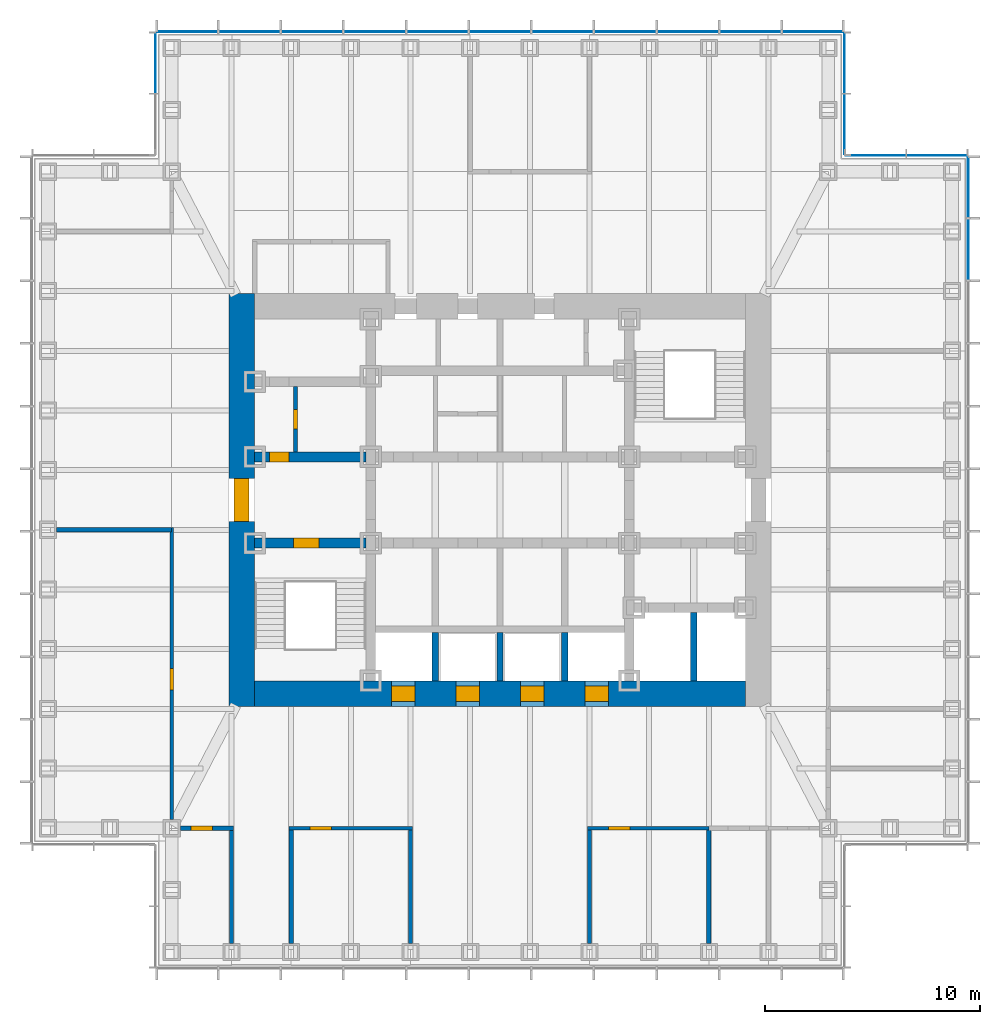
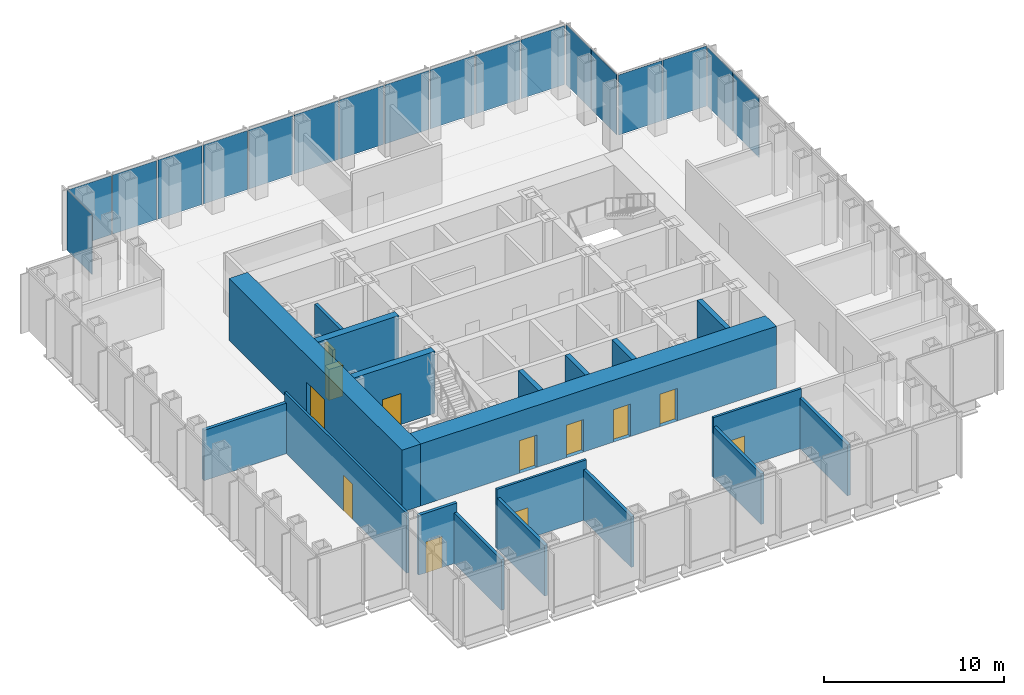
# One storey, part 8 of 16: 19 walls, 18 plates, 12 doors, 12 openings, 5 elements without a shape of their own.
"""IFC4 building model written with IfcOpenShell, lengths in metres."""

from ifc_helpers import new_model, si_unit, direction, frame, frame_2d, origin, origin_2d, place, context, subcontext, project, spatial, rectangle, extrude, material, layer, layer_set, type_object, element, fill, aggregate, save


model = new_model("IFC4")

# Units and contexts
model_context = context("Model", 3, precision=1e-05, world=origin(), true_north=direction((0.0, 1.0)))
body_context = subcontext(model_context, "Body", "Model", "MODEL_VIEW")
ifc_project = project(units=[si_unit("LENGTHUNIT", "METRE"), si_unit("AREAUNIT", "SQUARE_METRE"), si_unit("VOLUMEUNIT", "CUBIC_METRE"), si_unit("PLANEANGLEUNIT", "RADIAN"), si_unit("MASSUNIT", "GRAM", prefix="KILO")], contexts=[model_context])

# Site, building, storey
site_placement = place(None, origin())
site = spatial("IfcSite", under=ifc_project, at=site_placement, CompositionType="ELEMENT")
building_placement = place(site_placement, origin())
building = spatial("IfcBuilding", under=site, at=building_placement, Name="Daluyong Arena Tower", CompositionType="ELEMENT")
storey_placement = place(building_placement, frame((0.0, 0.0, 271.300048828125)))
storey = spatial("IfcBuildingStorey", under=building, at=storey_placement, Name="L61", CompositionType="ELEMENT", Elevation=271.300048828125)

# Curtain wall, plates
ifc_material_1 = material(Name="Bronze anodised aluminium and glass", Category="aluminium")
curtain_wall_type_1 = type_object("IfcCurtainWallType", Name="Curtain wall CW4", PredefinedType="USERDEFINED", material=ifc_material_1)
curtain_wall_1_placement = place(storey_placement, origin())
curtain_wall_1 = element("IfcCurtainWall", 1, at=curtain_wall_1_placement, inside=storey, type_object=curtain_wall_type_1, Name="curtain wall L61 E", ObjectType="UNITISED CURTAIN WALL", PredefinedType="USERDEFINED")
ifc_material_2 = material(Name="Tinted laminated double glazed unit", Category="glass")
ifc_layer_1 = layer(ifc_material_2, 0.035888671875)
ifc_layer_set_1 = layer_set([ifc_layer_1], Name="Tinted laminated double glazed unit")
plate_type_1 = type_object("IfcPlateType", Name="CW4 panel 36", PredefinedType="CURTAIN_PANEL", material=ifc_layer_set_1)
plate_1_placement = place(storey_placement, frame((77.75, 91.636474609375, 0.0), z_axis=(0.0, 0.0, 1.0), x_axis=(0.0, 1.0, 0.0)))
plate_1 = element("IfcPlate", 2, at=plate_1_placement, type_object=plate_type_1, Name="curtain wall L61 E panel 10", PredefinedType="CURTAIN_PANEL", context=body_context, shape_type="SweptSolid", body=[
    extrude(rectangle(XDim=2.819091796875, YDim=0.035888671875, at=origin_2d()), origin(), (0.0, 0.0, 1.0), 4.0),
])
plate_2_placement = place(storey_placement, frame((77.75, 94.52294921875, 0.0), z_axis=(0.0, 0.0, 1.0), x_axis=(0.0, 1.0, 0.0)))
plate_2 = element("IfcPlate", 3, at=plate_2_placement, type_object=plate_type_1, Name="curtain wall L61 E panel 11", PredefinedType="CURTAIN_PANEL", context=body_context, shape_type="SweptSolid", body=[
    extrude(rectangle(XDim=2.774169921875, YDim=0.035888671875, at=origin_2d()), origin(), (0.0, 0.0, 1.0), 4.0),
])
aggregate(curtain_wall_1, [plate_1, plate_2])

curtain_wall_2_placement = place(storey_placement, origin())
curtain_wall_2 = element("IfcCurtainWall", 4, at=curtain_wall_2_placement, inside=storey, type_object=curtain_wall_type_1, Name="curtain wall L61 N", ObjectType="UNITISED CURTAIN WALL", PredefinedType="USERDEFINED")
plate_3_placement = place(storey_placement, frame((70.52294921875, 101.75, 0.0), z_axis=(0.0, 0.0, 1.0), x_axis=(-1.0, 0.0, 0.0)))
plate_3 = element("IfcPlate", 5, at=plate_3_placement, type_object=plate_type_1, Name="curtain wall L61 N panel 1", PredefinedType="CURTAIN_PANEL", context=body_context, shape_type="SweptSolid", body=[
    extrude(rectangle(XDim=2.774169921875, YDim=0.035888671875, at=origin_2d()), origin(), (0.0, 0.0, 1.0), 4.0),
])
plate_4_placement = place(storey_placement, frame((67.636474609375, 101.75, 0.0), z_axis=(0.0, 0.0, 1.0), x_axis=(-1.0, 0.0, 0.0)))
plate_4 = element("IfcPlate", 6, at=plate_4_placement, type_object=plate_type_1, Name="curtain wall L61 N panel 2", PredefinedType="CURTAIN_PANEL", context=body_context, shape_type="SweptSolid", body=[
    extrude(rectangle(XDim=2.819091796875, YDim=0.035888671875, at=origin_2d()), origin(), (0.0, 0.0, 1.0), 4.0),
])
plate_5_placement = place(storey_placement, frame((64.727294921875, 101.75, 0.0), z_axis=(0.0, 0.0, 1.0), x_axis=(-1.0, 0.0, 0.0)))
plate_5 = element("IfcPlate", 7, at=plate_5_placement, type_object=plate_type_1, Name="curtain wall L61 N panel 3", PredefinedType="CURTAIN_PANEL", context=body_context, shape_type="SweptSolid", body=[
    extrude(rectangle(XDim=2.819091796875, YDim=0.035888671875, at=origin_2d()), origin(), (0.0, 0.0, 1.0), 4.0),
])
plate_6_placement = place(storey_placement, frame((61.818115234375, 101.75, 0.0), z_axis=(0.0, 0.0, 1.0), x_axis=(-1.0, 0.0, 0.0)))
plate_6 = element("IfcPlate", 8, at=plate_6_placement, type_object=plate_type_1, Name="curtain wall L61 N panel 4", PredefinedType="CURTAIN_PANEL", context=body_context, shape_type="SweptSolid", body=[
    extrude(rectangle(XDim=2.819091796875, YDim=0.035888671875, at=origin_2d()), origin(), (0.0, 0.0, 1.0), 4.0),
])
plate_7_placement = place(storey_placement, frame((58.9091796875, 101.75, 0.0), z_axis=(0.0, 0.0, 1.0), x_axis=(-1.0, 0.0, 0.0)))
plate_7 = element("IfcPlate", 9, at=plate_7_placement, type_object=plate_type_1, Name="curtain wall L61 N panel 5", PredefinedType="CURTAIN_PANEL", context=body_context, shape_type="SweptSolid", body=[
    extrude(rectangle(XDim=2.819091796875, YDim=0.035888671875, at=origin_2d()), origin(), (0.0, 0.0, 1.0), 4.0),
])
plate_8_placement = place(storey_placement, frame((56.0, 101.75, 0.0), z_axis=(0.0, 0.0, 1.0), x_axis=(-1.0, 0.0, 0.0)))
plate_8 = element("IfcPlate", 10, at=plate_8_placement, type_object=plate_type_1, Name="curtain wall L61 N panel 6", PredefinedType="CURTAIN_PANEL", context=body_context, shape_type="SweptSolid", body=[
    extrude(rectangle(XDim=2.819091796875, YDim=0.035888671875, at=origin_2d()), origin(), (0.0, 0.0, 1.0), 4.0),
])
plate_9_placement = place(storey_placement, frame((53.0908203125, 101.75, 0.0), z_axis=(0.0, 0.0, 1.0), x_axis=(-1.0, 0.0, 0.0)))
plate_9 = element("IfcPlate", 11, at=plate_9_placement, type_object=plate_type_1, Name="curtain wall L61 N panel 7", PredefinedType="CURTAIN_PANEL", context=body_context, shape_type="SweptSolid", body=[
    extrude(rectangle(XDim=2.819091796875, YDim=0.035888671875, at=origin_2d()), origin(), (0.0, 0.0, 1.0), 4.0),
])
plate_10_placement = place(storey_placement, frame((50.181884765625, 101.75, 0.0), z_axis=(0.0, 0.0, 1.0), x_axis=(-1.0, 0.0, 0.0)))
plate_10 = element("IfcPlate", 12, at=plate_10_placement, type_object=plate_type_1, Name="curtain wall L61 N panel 8", PredefinedType="CURTAIN_PANEL", context=body_context, shape_type="SweptSolid", body=[
    extrude(rectangle(XDim=2.819091796875, YDim=0.035888671875, at=origin_2d()), origin(), (0.0, 0.0, 1.0), 4.0),
])
plate_11_placement = place(storey_placement, frame((47.272705078125, 101.75, 0.0), z_axis=(0.0, 0.0, 1.0), x_axis=(-1.0, 0.0, 0.0)))
plate_11 = element("IfcPlate", 13, at=plate_11_placement, type_object=plate_type_1, Name="curtain wall L61 N panel 9", PredefinedType="CURTAIN_PANEL", context=body_context, shape_type="SweptSolid", body=[
    extrude(rectangle(XDim=2.819091796875, YDim=0.035888671875, at=origin_2d()), origin(), (0.0, 0.0, 1.0), 4.0),
])
plate_12_placement = place(storey_placement, frame((44.363525390625, 101.75, 0.0), z_axis=(0.0, 0.0, 1.0), x_axis=(-1.0, 0.0, 0.0)))
plate_12 = element("IfcPlate", 14, at=plate_12_placement, type_object=plate_type_1, Name="curtain wall L61 N panel 10", PredefinedType="CURTAIN_PANEL", context=body_context, shape_type="SweptSolid", body=[
    extrude(rectangle(XDim=2.819091796875, YDim=0.035888671875, at=origin_2d()), origin(), (0.0, 0.0, 1.0), 4.0),
])
plate_13_placement = place(storey_placement, frame((41.47705078125, 101.75, 0.0), z_axis=(0.0, 0.0, 1.0), x_axis=(-1.0, 0.0, 0.0)))
plate_13 = element("IfcPlate", 15, at=plate_13_placement, type_object=plate_type_1, Name="curtain wall L61 N panel 11", PredefinedType="CURTAIN_PANEL", context=body_context, shape_type="SweptSolid", body=[
    extrude(rectangle(XDim=2.774169921875, YDim=0.035888671875, at=origin_2d()), origin(), (0.0, 0.0, 1.0), 4.0),
])
aggregate(curtain_wall_2, [plate_3, plate_4, plate_5, plate_6, plate_7, plate_8, plate_9, plate_10, plate_11, plate_12, plate_13])

ifc_material_3 = material(Name="Bronze anodised aluminium and glass", Category="aluminium")
curtain_wall_type_2 = type_object("IfcCurtainWallType", Name="Curtain wall CW7", PredefinedType="USERDEFINED", material=ifc_material_3)
curtain_wall_3_placement = place(storey_placement, origin())
curtain_wall_3 = element("IfcCurtainWall", 16, at=curtain_wall_3_placement, inside=storey, type_object=curtain_wall_type_2, Name="curtain wall L61 NE-N", ObjectType="UNITISED CURTAIN WALL", PredefinedType="USERDEFINED")
ifc_material_4 = material(Name="Tinted double glazed unit", Category="glass")
ifc_layer_2 = layer(ifc_material_4, 0.028076171875)
ifc_layer_set_2 = layer_set([ifc_layer_2], Name="Tinted double glazed unit")
plate_type_2 = type_object("IfcPlateType", Name="CW7 panel 28", PredefinedType="CURTAIN_PANEL", material=ifc_layer_set_2)
plate_14_placement = place(storey_placement, frame((76.297607421875, 96.0, 0.0), z_axis=(0.0, 0.0, 1.0), x_axis=(-1.0, 0.0, 0.0)))
plate_14 = element("IfcPlate", 17, at=plate_14_placement, type_object=plate_type_2, Name="curtain wall L61 NE-N panel 1", PredefinedType="CURTAIN_PANEL", context=body_context, shape_type="SweptSolid", body=[
    extrude(rectangle(XDim=2.784912109375, YDim=0.028076171875, at=origin_2d()), origin(), (0.0, 0.0, 1.0), 4.080078125),
])
plate_15_placement = place(storey_placement, frame((73.452392578125, 96.0, 0.0), z_axis=(0.0, 0.0, 1.0), x_axis=(-1.0, 0.0, 0.0)))
plate_15 = element("IfcPlate", 18, at=plate_15_placement, type_object=plate_type_2, Name="curtain wall L61 NE-N panel 2", PredefinedType="CURTAIN_PANEL", context=body_context, shape_type="SweptSolid", body=[
    extrude(rectangle(XDim=2.784912109375, YDim=0.028076171875, at=origin_2d()), origin(), (0.0, 0.0, 1.0), 4.080078125),
])
aggregate(curtain_wall_3, [plate_14, plate_15])

curtain_wall_4_placement = place(storey_placement, origin())
curtain_wall_4 = element("IfcCurtainWall", 19, at=curtain_wall_4_placement, inside=storey, type_object=curtain_wall_type_2, Name="curtain wall L61 NE-E", ObjectType="UNITISED CURTAIN WALL", PredefinedType="USERDEFINED")
plate_16_placement = place(storey_placement, frame((72.0, 97.452392578125, 0.0), z_axis=(0.0, 0.0, 1.0), x_axis=(0.0, 1.0, 0.0)))
plate_16 = element("IfcPlate", 20, at=plate_16_placement, type_object=plate_type_2, Name="curtain wall L61 NE-E panel 1", PredefinedType="CURTAIN_PANEL", context=body_context, shape_type="SweptSolid", body=[
    extrude(rectangle(XDim=2.784912109375, YDim=0.028076171875, at=origin_2d()), origin(), (0.0, 0.0, 1.0), 4.080078125),
])
plate_17_placement = place(storey_placement, frame((72.0, 100.297607421875, 0.0), z_axis=(0.0, 0.0, 1.0), x_axis=(0.0, 1.0, 0.0)))
plate_17 = element("IfcPlate", 21, at=plate_17_placement, type_object=plate_type_2, Name="curtain wall L61 NE-E panel 2", PredefinedType="CURTAIN_PANEL", context=body_context, shape_type="SweptSolid", body=[
    extrude(rectangle(XDim=2.784912109375, YDim=0.028076171875, at=origin_2d()), origin(), (0.0, 0.0, 1.0), 4.080078125),
])
aggregate(curtain_wall_4, [plate_16, plate_17])

# Curtain wall, plate
curtain_wall_5_placement = place(storey_placement, origin())
curtain_wall_5 = element("IfcCurtainWall", 22, at=curtain_wall_5_placement, inside=storey, type_object=curtain_wall_type_2, Name="curtain wall L61 NW-W", ObjectType="UNITISED CURTAIN WALL", PredefinedType="USERDEFINED")
plate_18_placement = place(storey_placement, frame((40.0, 100.297607421875, 0.0), z_axis=(0.0, 0.0, 1.0), x_axis=(0.0, -1.0, 0.0)))
plate_18 = element("IfcPlate", 23, at=plate_18_placement, type_object=plate_type_2, Name="curtain wall L61 NW-W panel 1", PredefinedType="CURTAIN_PANEL", context=body_context, shape_type="SweptSolid", body=[
    extrude(rectangle(XDim=2.784912109375, YDim=0.028076171875, at=origin_2d()), origin(), (0.0, 0.0, 1.0), 4.080078125),
])
aggregate(curtain_wall_5, [plate_18])

# Wall, opening, door
ifc_material_5 = material(Name="Concrete fc' 45 MPa", Category="concrete")
ifc_layer_3 = layer(ifc_material_5, 0.449951171875)
ifc_layer_set_3 = layer_set([ifc_layer_3], Name="Concrete fc' 45 MPa")
wall_type_1 = type_object("IfcWallType", Name="Core inner wall 450", PredefinedType="SHEAR", material=ifc_layer_set_3)
wall_1_placement = place(storey_placement, frame((44.60009765625, 78.0, 0.0), z_axis=(0.0, 0.0, 1.0), x_axis=(1.0, 0.0, 0.0)))
wall_1 = element("IfcWall", 24, at=wall_1_placement, inside=storey, type_object=wall_type_1, Name="core inner wall at L61", PredefinedType="SHEAR", context=body_context, shape_type="SweptSolid", body=[
    extrude(rectangle(XDim=5.1748046875, YDim=0.449951171875, at=frame_2d((2.58740234375, 0.0))), origin(), (0.0, 0.0, 1.0), 4.199951171875),
])
opening_1_placement = place(wall_1_placement, frame((1.800048828125, 0.0, 0.0)))
opening_1 = element("IfcOpeningElement", 25, at=opening_1_placement, cuts=wall_1, Name="Opening 61017", PredefinedType="OPENING", context=body_context, shape_type="SweptSolid", body=[
    extrude(rectangle(XDim=1.199951171875, YDim=2.10009765625, at=frame_2d((0.60009765625, 1.050048828125))), frame((0.0, 0.23486328125, 0.0), z_axis=(0.0, -1.0, 0.0), x_axis=(1.0, 0.0, 0.0)), (0.0, 0.0, 1.0), 0.469970703125),
])
ifc_material_6 = material(Name="Steel door, fire rated", Category="steel")
door_type_1 = type_object("IfcDoorType", Name="Stair door 1200", OperationType="SINGLE_SWING_LEFT", PredefinedType="DOOR", material=ifc_material_6)
door_1_placement = place(opening_1_placement, origin())
door_1 = element("IfcDoor", 26, at=door_1_placement, inside=storey, type_object=door_type_1, Name="stair A door 61017", OperationType="SINGLE_SWING_LEFT", OverallHeight=2.10009765625, OverallWidth=1.199951171875, PredefinedType="DOOR", context=body_context, shape_type="SweptSolid", body=[
    extrude(rectangle(XDim=1.199951171875, YDim=2.10009765625, at=frame_2d((0.60009765625, 1.050048828125))), frame((0.0, 0.224609375, 0.0), z_axis=(0.0, -1.0, 0.0), x_axis=(1.0, 0.0, 0.0)), (0.0, 0.0, 1.0), 0.449462890625),
])
fill(opening_1, door_1)

wall_2_placement = place(storey_placement, frame((44.60009765625, 82.0, 0.0), z_axis=(0.0, 0.0, 1.0), x_axis=(1.0, 0.0, 0.0)))
wall_2 = element("IfcWall", 27, at=wall_2_placement, inside=storey, type_object=wall_type_1, Name="core inner wall at L61", PredefinedType="SHEAR", context=body_context, shape_type="SweptSolid", body=[
    extrude(rectangle(XDim=5.1748046875, YDim=0.449951171875, at=frame_2d((2.58740234375, 0.0))), origin(), (0.0, 0.0, 1.0), 4.199951171875),
])
opening_2_placement = place(wall_2_placement, frame((0.699951171875, 0.0, 0.0)))
opening_2 = element("IfcOpeningElement", 28, at=opening_2_placement, cuts=wall_2, Name="Opening 61001", PredefinedType="OPENING", context=body_context, shape_type="SweptSolid", body=[
    extrude(rectangle(XDim=0.89990234375, YDim=2.10009765625, at=frame_2d((0.449951171875, 1.050048828125))), frame((0.0, 0.23486328125, 0.0), z_axis=(0.0, -1.0, 0.0), x_axis=(1.0, 0.0, 0.0)), (0.0, 0.0, 1.0), 0.469970703125),
])
ifc_material_7 = material(Name="Steel door, fire rated", Category="steel")
door_type_2 = type_object("IfcDoorType", Name="Core room door 900", OperationType="SINGLE_SWING_LEFT", PredefinedType="DOOR", material=ifc_material_7)
door_2_placement = place(opening_2_placement, origin())
door_2 = element("IfcDoor", 29, at=door_2_placement, inside=storey, type_object=door_type_2, Name="toilet lobby door 61001", OperationType="SINGLE_SWING_LEFT", OverallHeight=2.10009765625, OverallWidth=0.89990234375, PredefinedType="DOOR", context=body_context, shape_type="SweptSolid", body=[
    extrude(rectangle(XDim=0.89990234375, YDim=2.10009765625, at=frame_2d((0.449951171875, 1.050048828125))), frame((0.0, 0.224609375, 0.0), z_axis=(0.0, -1.0, 0.0), x_axis=(1.0, 0.0, 0.0)), (0.0, 0.0, 1.0), 0.449462890625),
])
fill(opening_2, door_2)

ifc_material_8 = material(Name="Concrete fc' 60 MPa", Category="concrete")
ifc_layer_4 = layer(ifc_material_8, 1.199951171875)
ifc_layer_set_4 = layer_set([ifc_layer_4], Name="Concrete fc' 60 MPa")
wall_type_2 = type_object("IfcWallType", Name="Core wall 1200", PredefinedType="SHEAR", material=ifc_layer_set_4)
wall_3_placement = place(storey_placement, frame((44.0, 70.39990234375, 0.0), z_axis=(0.0, 0.0, 1.0), x_axis=(0.0, 1.0, 0.0)))
wall_3 = element("IfcWall", 30, at=wall_3_placement, inside=storey, type_object=wall_type_2, Name="core wall at L61", PredefinedType="SHEAR", context=body_context, shape_type="SweptSolid", body=[
    extrude(rectangle(XDim=19.2001953125, YDim=1.199951171875, at=frame_2d((9.60009765625, 0.0))), origin(), (0.0, 0.0, 1.0), 4.199951171875),
])
opening_3_placement = place(wall_3_placement, frame((8.60009765625, 0.0, 0.0)))
opening_3 = element("IfcOpeningElement", 31, at=opening_3_placement, cuts=wall_3, Name="Opening 61019", PredefinedType="OPENING", context=body_context, shape_type="SweptSolid", body=[
    extrude(rectangle(XDim=2.0, YDim=2.39990234375, at=frame_2d((1.0, 1.199951171875))), frame((0.0, 0.60986328125, 0.0), z_axis=(0.0, -1.0, 0.0), x_axis=(1.0, 0.0, 0.0)), (0.0, 0.0, 1.0), 1.219970703125),
])
ifc_material_9 = material(Name="Steel door, fire rated", Category="steel")
door_type_3 = type_object("IfcDoorType", Name="Core lobby double door 2000", OperationType="DOUBLE_DOOR_SINGLE_SWING", PredefinedType="DOOR", material=ifc_material_9)
door_3_placement = place(opening_3_placement, origin())
door_3 = element("IfcDoor", 32, at=door_3_placement, inside=storey, type_object=door_type_3, Name="core lobby door west 61019", OperationType="DOUBLE_DOOR_SINGLE_SWING", OverallHeight=2.39990234375, OverallWidth=2.0, PredefinedType="DOOR", context=body_context, shape_type="SweptSolid", body=[
    extrude(rectangle(XDim=2.0, YDim=2.39990234375, at=frame_2d((1.0, 1.199951171875))), frame((0.0, 0.35009765625, 0.0), z_axis=(0.0, -1.0, 0.0), x_axis=(1.0, 0.0, 0.0)), (0.0, 0.0, 1.0), 0.699951171875),
])
fill(opening_3, door_3)

# Wall, openings, doors
wall_4_placement = place(storey_placement, frame((44.60009765625, 71.0, 0.0), z_axis=(0.0, 0.0, 1.0), x_axis=(1.0, 0.0, 0.0)))
wall_4 = element("IfcWall", 33, at=wall_4_placement, inside=storey, type_object=wall_type_2, Name="core wall at L61", PredefinedType="SHEAR", context=body_context, shape_type="SweptSolid", body=[
    extrude(rectangle(XDim=22.7998046875, YDim=1.199951171875, at=frame_2d((11.39990234375, 0.0))), origin(), (0.0, 0.0, 1.0), 4.199951171875),
])
opening_4_placement = place(wall_4_placement, frame((6.35009765625, 0.0, 0.0)))
opening_4 = element("IfcOpeningElement", 34, at=opening_4_placement, cuts=wall_4, Name="Opening 61024", PredefinedType="OPENING", context=body_context, shape_type="SweptSolid", body=[
    extrude(rectangle(XDim=1.10009765625, YDim=2.199951171875, at=frame_2d((0.550048828125, 1.10009765625))), frame((0.0, 0.60986328125, 0.0), z_axis=(0.0, -1.0, 0.0), x_axis=(1.0, 0.0, 0.0)), (0.0, 0.0, 1.0), 1.219970703125),
])
opening_5_placement = place(wall_4_placement, frame((9.35009765625, 0.0, 0.0)))
opening_5 = element("IfcOpeningElement", 35, at=opening_5_placement, cuts=wall_4, Name="Opening 61025", PredefinedType="OPENING", context=body_context, shape_type="SweptSolid", body=[
    extrude(rectangle(XDim=1.10009765625, YDim=2.199951171875, at=frame_2d((0.550048828125, 1.10009765625))), frame((0.0, 0.60986328125, 0.0), z_axis=(0.0, -1.0, 0.0), x_axis=(1.0, 0.0, 0.0)), (0.0, 0.0, 1.0), 1.219970703125),
])
opening_6_placement = place(wall_4_placement, frame((12.35009765625, 0.0, 0.0)))
opening_6 = element("IfcOpeningElement", 36, at=opening_6_placement, cuts=wall_4, Name="Opening 61026", PredefinedType="OPENING", context=body_context, shape_type="SweptSolid", body=[
    extrude(rectangle(XDim=1.10009765625, YDim=2.199951171875, at=frame_2d((0.550048828125, 1.10009765625))), frame((0.0, 0.60986328125, 0.0), z_axis=(0.0, -1.0, 0.0), x_axis=(1.0, 0.0, 0.0)), (0.0, 0.0, 1.0), 1.219970703125),
])
opening_7_placement = place(wall_4_placement, frame((15.35009765625, 0.0, 0.0)))
opening_7 = element("IfcOpeningElement", 37, at=opening_7_placement, cuts=wall_4, Name="Opening 61027", PredefinedType="OPENING", context=body_context, shape_type="SweptSolid", body=[
    extrude(rectangle(XDim=1.10009765625, YDim=2.199951171875, at=frame_2d((0.550048828125, 1.10009765625))), frame((0.0, 0.60986328125, 0.0), z_axis=(0.0, -1.0, 0.0), x_axis=(1.0, 0.0, 0.0)), (0.0, 0.0, 1.0), 1.219970703125),
])
ifc_material_10 = material(Name="Steel door, fire rated", Category="steel")
door_type_4 = type_object("IfcDoorType", Name="Lift landing door 1100", OperationType="SLIDING_TO_LEFT", PredefinedType="DOOR", material=ifc_material_10)
door_4_placement = place(opening_4_placement, origin())
door_4 = element("IfcDoor", 38, at=door_4_placement, inside=storey, type_object=door_type_4, Name="lift landing door C1 61024", OperationType="SLIDING_TO_LEFT", OverallHeight=2.199951171875, OverallWidth=1.10009765625, PredefinedType="DOOR", context=body_context, shape_type="SweptSolid", body=[
    extrude(rectangle(XDim=1.10009765625, YDim=2.199951171875, at=frame_2d((0.550048828125, 1.10009765625))), frame((0.0, 0.35009765625, 0.0), z_axis=(0.0, -1.0, 0.0), x_axis=(1.0, 0.0, 0.0)), (0.0, 0.0, 1.0), 0.699951171875),
])
fill(opening_4, door_4)
door_5_placement = place(opening_5_placement, origin())
door_5 = element("IfcDoor", 39, at=door_5_placement, inside=storey, type_object=door_type_4, Name="lift landing door C2 61025", OperationType="SLIDING_TO_LEFT", OverallHeight=2.199951171875, OverallWidth=1.10009765625, PredefinedType="DOOR", context=body_context, shape_type="SweptSolid", body=[
    extrude(rectangle(XDim=1.10009765625, YDim=2.199951171875, at=frame_2d((0.550048828125, 1.10009765625))), frame((0.0, 0.35009765625, 0.0), z_axis=(0.0, -1.0, 0.0), x_axis=(1.0, 0.0, 0.0)), (0.0, 0.0, 1.0), 0.699951171875),
])
fill(opening_5, door_5)
door_6_placement = place(opening_6_placement, origin())
door_6 = element("IfcDoor", 40, at=door_6_placement, inside=storey, type_object=door_type_4, Name="lift landing door C3 61026", OperationType="SLIDING_TO_LEFT", OverallHeight=2.199951171875, OverallWidth=1.10009765625, PredefinedType="DOOR", context=body_context, shape_type="SweptSolid", body=[
    extrude(rectangle(XDim=1.10009765625, YDim=2.199951171875, at=frame_2d((0.550048828125, 1.10009765625))), frame((0.0, 0.35009765625, 0.0), z_axis=(0.0, -1.0, 0.0), x_axis=(1.0, 0.0, 0.0)), (0.0, 0.0, 1.0), 0.699951171875),
])
fill(opening_6, door_6)
door_7_placement = place(opening_7_placement, origin())
door_7 = element("IfcDoor", 41, at=door_7_placement, inside=storey, type_object=door_type_4, Name="lift landing door C4 61027", OperationType="SLIDING_TO_LEFT", OverallHeight=2.199951171875, OverallWidth=1.10009765625, PredefinedType="DOOR", context=body_context, shape_type="SweptSolid", body=[
    extrude(rectangle(XDim=1.10009765625, YDim=2.199951171875, at=frame_2d((0.550048828125, 1.10009765625))), frame((0.0, 0.35009765625, 0.0), z_axis=(0.0, -1.0, 0.0), x_axis=(1.0, 0.0, 0.0)), (0.0, 0.0, 1.0), 0.699951171875),
])
fill(opening_7, door_7)

# Wall, opening, door
ifc_material_11 = material(Name="Concrete block partition, fire rated", Category="concrete")
ifc_layer_5 = layer(ifc_material_11, 0.199951171875)
ifc_layer_set_5 = layer_set([ifc_layer_5], Name="Concrete block partition, fire rated")
wall_type_3 = type_object("IfcWallType", Name="Fire-rated partition 200", PredefinedType="PARTITIONING", material=ifc_layer_set_5)
wall_5_placement = place(storey_placement, frame((46.5, 82.22509765625, 0.0), z_axis=(0.0, 0.0, 1.0), x_axis=(0.0, 1.0, 0.0)))
wall_5 = element("IfcWall", 42, at=wall_5_placement, inside=storey, type_object=wall_type_3, Name="toilet lobby partition at L61", PredefinedType="PARTITIONING", context=body_context, shape_type="SweptSolid", body=[
    extrude(rectangle(XDim=3.0498046875, YDim=0.199951171875, at=frame_2d((1.52490234375, 0.0))), origin(), (0.0, 0.0, 1.0), 4.0400390625),
])
opening_8_placement = place(wall_5_placement, frame((1.074951171875, 0.0, 0.0)))
opening_8 = element("IfcOpeningElement", 43, at=opening_8_placement, cuts=wall_5, Name="Opening 61002", PredefinedType="OPENING", context=body_context, shape_type="SweptSolid", body=[
    extrude(rectangle(XDim=0.89990234375, YDim=2.10009765625, at=frame_2d((0.449951171875, 1.050048828125))), frame((0.0, 0.10986328125, 0.0), z_axis=(0.0, -1.0, 0.0), x_axis=(1.0, 0.0, 0.0)), (0.0, 0.0, 1.0), 0.219970703125),
])
ifc_material_12 = material(Name="Timber door", Category="wood")
door_type_5 = type_object("IfcDoorType", Name="Toilet door 900", OperationType="SINGLE_SWING_RIGHT", PredefinedType="DOOR", material=ifc_material_12)
door_8_placement = place(opening_8_placement, origin())
door_8 = element("IfcDoor", 44, at=door_8_placement, inside=storey, type_object=door_type_5, Name="male toilet door 61002", OperationType="SINGLE_SWING_RIGHT", OverallHeight=2.10009765625, OverallWidth=0.89990234375, PredefinedType="DOOR", context=body_context, shape_type="SweptSolid", body=[
    extrude(rectangle(XDim=0.89990234375, YDim=2.10009765625, at=frame_2d((0.449951171875, 1.050048828125))), frame((0.0, 0.099609375, 0.0), z_axis=(0.0, -1.0, 0.0), x_axis=(1.0, 0.0, 0.0)), (0.0, 0.0, 1.0), 0.199462890625),
])
fill(opening_8, door_8)

ifc_material_13 = material(Name="Glazed aluminium partition", Category="aluminium")
ifc_layer_6 = layer(ifc_material_13, 0.14990234375)
ifc_layer_set_6 = layer_set([ifc_layer_6], Name="Glazed aluminium partition")
wall_type_4 = type_object("IfcWallType", Name="Glazed partition 150", PredefinedType="PARTITIONING", material=ifc_layer_set_6)
wall_6_placement = place(storey_placement, frame((46.195556640625, 64.75, 0.0), z_axis=(0.0, 0.0, 1.0), x_axis=(1.0, 0.0, 0.0)))
wall_6 = element("IfcWall", 45, at=wall_6_placement, inside=storey, type_object=wall_type_4, Name="glazed partition at L61", PredefinedType="PARTITIONING", context=body_context, shape_type="SweptSolid", body=[
    extrude(rectangle(XDim=5.745361328125, YDim=0.14990234375, at=frame_2d((2.87255859375, 0.0))), origin(), (0.0, 0.0, 1.0), 4.0400390625),
])
opening_9_placement = place(wall_6_placement, frame((0.986328125, 0.0, 0.0)))
opening_9 = element("IfcOpeningElement", 46, at=opening_9_placement, cuts=wall_6, Name="Opening 61031", PredefinedType="OPENING", context=body_context, shape_type="SweptSolid", body=[
    extrude(rectangle(XDim=1.0, YDim=2.10009765625, at=frame_2d((0.5, 1.050048828125))), frame((0.0, 0.0849609375, 0.0), z_axis=(0.0, -1.0, 0.0), x_axis=(1.0, 0.0, 0.0)), (0.0, 0.0, 1.0), 0.169921875),
])
ifc_material_14 = material(Name="Timber door", Category="wood")
door_type_6 = type_object("IfcDoorType", Name="Room door 1000", OperationType="SINGLE_SWING_LEFT", PredefinedType="DOOR", material=ifc_material_14)
door_9_placement = place(opening_9_placement, origin())
door_9 = element("IfcDoor", 47, at=door_9_placement, inside=storey, type_object=door_type_6, Name="office door 61031", OperationType="SINGLE_SWING_LEFT", OverallHeight=2.10009765625, OverallWidth=1.0, PredefinedType="DOOR", context=body_context, shape_type="SweptSolid", body=[
    extrude(rectangle(XDim=1.0, YDim=2.10009765625, at=frame_2d((0.5, 1.050048828125))), frame((0.0, 0.07470703125, 0.0), z_axis=(0.0, -1.0, 0.0), x_axis=(1.0, 0.0, 0.0)), (0.0, 0.0, 1.0), 0.1494140625),
])
fill(opening_9, door_9)

wall_7_placement = place(storey_placement, frame((60.05908203125, 64.75, 0.0), z_axis=(0.0, 0.0, 1.0), x_axis=(1.0, 0.0, 0.0)))
wall_7 = element("IfcWall", 48, at=wall_7_placement, inside=storey, type_object=wall_type_4, Name="glazed partition at L61", PredefinedType="PARTITIONING", context=body_context, shape_type="SweptSolid", body=[
    extrude(rectangle(XDim=5.6455078125, YDim=0.14990234375, at=frame_2d((2.82275390625, 0.0))), origin(), (0.0, 0.0, 1.0), 4.0400390625),
])
opening_10_placement = place(wall_7_placement, frame((0.986328125, 0.0, 0.0)))
opening_10 = element("IfcOpeningElement", 49, at=opening_10_placement, cuts=wall_7, Name="Opening 61032", PredefinedType="OPENING", context=body_context, shape_type="SweptSolid", body=[
    extrude(rectangle(XDim=1.0, YDim=2.10009765625, at=frame_2d((0.5, 1.050048828125))), frame((0.0, 0.0849609375, 0.0), z_axis=(0.0, -1.0, 0.0), x_axis=(1.0, 0.0, 0.0)), (0.0, 0.0, 1.0), 0.169921875),
])
door_10_placement = place(opening_10_placement, origin())
door_10 = element("IfcDoor", 50, at=door_10_placement, inside=storey, type_object=door_type_6, Name="office door 61032", OperationType="SINGLE_SWING_LEFT", OverallHeight=2.10009765625, OverallWidth=1.0, PredefinedType="DOOR", context=body_context, shape_type="SweptSolid", body=[
    extrude(rectangle(XDim=1.0, YDim=2.10009765625, at=frame_2d((0.5, 1.050048828125))), frame((0.0, 0.07470703125, 0.0), z_axis=(0.0, -1.0, 0.0), x_axis=(1.0, 0.0, 0.0)), (0.0, 0.0, 1.0), 0.1494140625),
])
fill(opening_10, door_10)

wall_8_placement = place(storey_placement, frame((40.75, 65.14990234375, 0.0), z_axis=(0.0, 0.0, 1.0), x_axis=(0.0, 1.0, 0.0)))
wall_8 = element("IfcWall", 51, at=wall_8_placement, inside=storey, type_object=wall_type_4, Name="glazed partition at L61", PredefinedType="PARTITIONING", context=body_context, shape_type="SweptSolid", body=[
    extrude(rectangle(XDim=13.563720703125, YDim=0.14990234375, at=frame_2d((6.78173828125, 0.0))), origin(), (0.0, 0.0, 1.0), 4.0400390625),
])
opening_11_placement = place(wall_8_placement, frame((6.03173828125, 0.0, 0.0)))
opening_11 = element("IfcOpeningElement", 52, at=opening_11_placement, cuts=wall_8, Name="Opening 61041", PredefinedType="OPENING", context=body_context, shape_type="SweptSolid", body=[
    extrude(rectangle(XDim=1.0, YDim=2.39990234375, at=frame_2d((0.5, 1.199951171875))), frame((0.0, 0.0849609375, 0.0), z_axis=(0.0, -1.0, 0.0), x_axis=(1.0, 0.0, 0.0)), (0.0, 0.0, 1.0), 0.169921875),
])
ifc_material_15 = material(Name="Glazed aluminium door", Category="aluminium")
door_type_7 = type_object("IfcDoorType", Name="Meeting room glazed door 1000", OperationType="SINGLE_SWING_RIGHT", PredefinedType="DOOR", material=ifc_material_15)
door_11_placement = place(opening_11_placement, origin())
door_11 = element("IfcDoor", 53, at=door_11_placement, inside=storey, type_object=door_type_7, Name="boardroom door 61041", OperationType="SINGLE_SWING_RIGHT", OverallHeight=2.39990234375, OverallWidth=1.0, PredefinedType="DOOR", context=body_context, shape_type="SweptSolid", body=[
    extrude(rectangle(XDim=1.0, YDim=2.39990234375, at=frame_2d((0.5, 1.199951171875))), frame((0.0, 0.07470703125, 0.0), z_axis=(0.0, -1.0, 0.0), x_axis=(1.0, 0.0, 0.0)), (0.0, 0.0, 1.0), 0.1494140625),
])
fill(opening_11, door_11)

# Walls
ifc_material_16 = material(Name="Concrete fc' 45 MPa", Category="concrete")
ifc_layer_7 = layer(ifc_material_16, 0.300048828125)
ifc_layer_set_7 = layer_set([ifc_layer_7], Name="Concrete fc' 45 MPa")
wall_type_5 = type_object("IfcWallType", Name="Lift shaft wall 300", PredefinedType="SHEAR", material=ifc_layer_set_7)
for number, where, z_axis, x_axis, name in (
    (54, (53.0, 71.60009765625, 0.0), (0.0, 0.0, 1.0), (0.0, 1.0, 0.0), "lift shaft wall at L61"),
    (55, (56.0, 71.60009765625, 0.0), (0.0, 0.0, 1.0), (0.0, 1.0, 0.0), "lift shaft wall at L61"),
    (56, (59.0, 71.60009765625, 0.0), (0.0, 0.0, 1.0), (0.0, 1.0, 0.0), "lift shaft wall at L61"),
):
    element("IfcWall", number, at=place(storey_placement, frame(where, z_axis=z_axis, x_axis=x_axis)), inside=storey, type_object=wall_type_5, Name=name, PredefinedType="SHEAR", context=body_context, shape_type="SweptSolid", body=[
        extrude(rectangle(XDim=2.25, YDim=0.300048828125, at=frame_2d((1.125, 0.0))), origin(), (0.0, 0.0, 1.0), 4.199951171875),
    ])
wall_9_placement = place(storey_placement, frame((65.0, 71.60009765625, 0.0), z_axis=(0.0, 0.0, 1.0), x_axis=(0.0, 1.0, 0.0)))
element("IfcWall", 57, at=wall_9_placement, inside=storey, type_object=wall_type_5, Name="lift shaft wall at L61", PredefinedType="SHEAR", context=body_context, shape_type="SweptSolid", body=[
    extrude(rectangle(XDim=3.1748046875, YDim=0.300048828125, at=frame_2d((1.58740234375, 0.0))), origin(), (0.0, 0.0, 1.0), 4.199951171875),
])
ifc_material_17 = material(Name="Concrete block partition", Category="concrete")
ifc_layer_8 = layer(ifc_material_17, 0.199951171875)
ifc_layer_set_8 = layer_set([ifc_layer_8], Name="Concrete block partition")
wall_type_6 = type_object("IfcWallType", Name="Partition 200", PredefinedType="PARTITIONING", material=ifc_layer_set_8)
for number, where, z_axis, x_axis, name in (
    (58, (43.522705078125, 59.39990234375, 0.0), (0.0, 0.0, 1.0), (0.0, 1.0, 0.0), "partition at L61"),
    (59, (46.29541015625, 59.39990234375, 0.0), (0.0, 0.0, 1.0), (0.0, 1.0, 0.0), "partition at L61"),
    (60, (51.8408203125, 59.39990234375, 0.0), (0.0, 0.0, 1.0), (0.0, 1.0, 0.0), "partition at L61"),
    (61, (60.1591796875, 59.39990234375, 0.0), (0.0, 0.0, 1.0), (0.0, 1.0, 0.0), "partition at L61"),
    (62, (65.70458984375, 59.39990234375, 0.0), (0.0, 0.0, 1.0), (0.0, 1.0, 0.0), "partition at L61"),
    (63, (35.39990234375, 78.613525390625, 0.0), (0.0, 0.0, 1.0), (1.0, 0.0, 0.0), "partition at L61"),
):
    element("IfcWall", number, at=place(storey_placement, frame(where, z_axis=z_axis, x_axis=x_axis)), inside=storey, type_object=wall_type_6, Name=name, PredefinedType="PARTITIONING", context=body_context, shape_type="SweptSolid", body=[
        extrude(rectangle(XDim=5.35009765625, YDim=0.199951171875, at=frame_2d((2.675048828125, 0.0))), origin(), (0.0, 0.0, 1.0), 3.427734375),
    ])

# Wall, opening, door
wall_10_placement = place(storey_placement, frame((41.14990234375, 64.75, 0.0), z_axis=(0.0, 0.0, 1.0), x_axis=(1.0, 0.0, 0.0)))
wall_10 = element("IfcWall", 64, at=wall_10_placement, inside=storey, type_object=wall_type_6, Name="partition at L61", PredefinedType="PARTITIONING", context=body_context, shape_type="SweptSolid", body=[
    extrude(rectangle(XDim=2.472900390625, YDim=0.199951171875, at=frame_2d((1.236328125, 0.0))), origin(), (0.0, 0.0, 1.0), 4.0400390625),
])
opening_12_placement = place(wall_10_placement, frame((0.486328125, 0.0, 0.0)))
opening_12 = element("IfcOpeningElement", 65, at=opening_12_placement, cuts=wall_10, Name="Opening 61030", PredefinedType="OPENING", context=body_context, shape_type="SweptSolid", body=[
    extrude(rectangle(XDim=1.0, YDim=2.10009765625, at=frame_2d((0.5, 1.050048828125))), frame((0.0, 0.10986328125, 0.0), z_axis=(0.0, -1.0, 0.0), x_axis=(1.0, 0.0, 0.0)), (0.0, 0.0, 1.0), 0.219970703125),
])
door_12_placement = place(opening_12_placement, origin())
door_12 = element("IfcDoor", 66, at=door_12_placement, inside=storey, type_object=door_type_6, Name="quiet room door 61030", OperationType="SINGLE_SWING_LEFT", OverallHeight=2.10009765625, OverallWidth=1.0, PredefinedType="DOOR", context=body_context, shape_type="SweptSolid", body=[
    extrude(rectangle(XDim=1.0, YDim=2.10009765625, at=frame_2d((0.5, 1.050048828125))), frame((0.0, 0.099609375, 0.0), z_axis=(0.0, -1.0, 0.0), x_axis=(1.0, 0.0, 0.0)), (0.0, 0.0, 1.0), 0.199462890625),
])
fill(opening_12, door_12)

save(model, "model.ifc")
